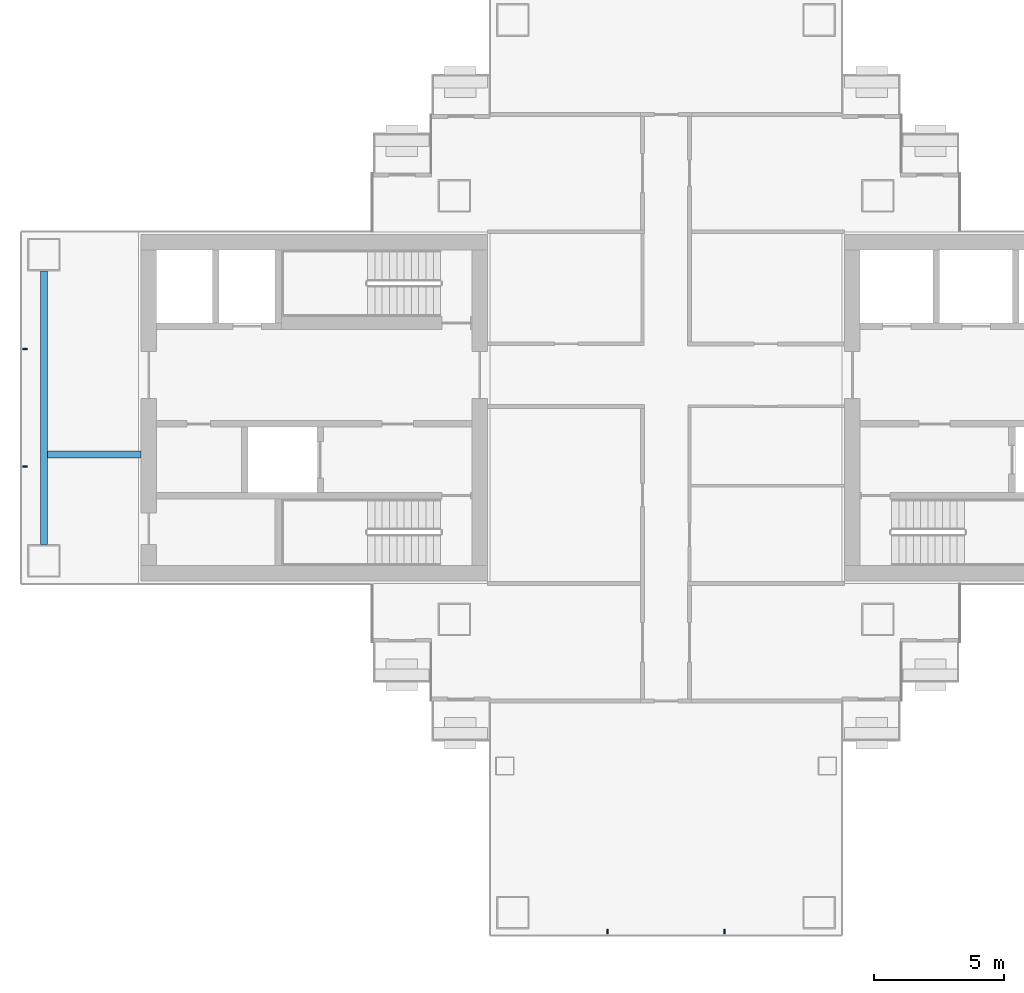
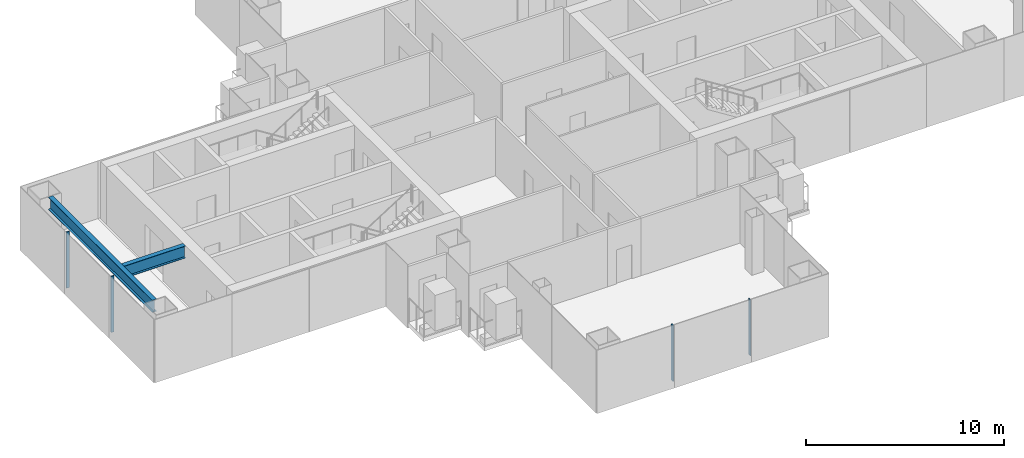
# One storey, part 3 of 20: 4 members, 2 beams, 2 elements without a shape of their own.
"""IFC4 building model written with IfcOpenShell, lengths in metres."""

from ifc_helpers import new_model, si_unit, direction, frame, origin, origin_2d, place, context, subcontext, project, spatial, rectangle, i_section, extrude, material, layer, layer_set, material_profile, profile_set, type_object, element, aggregate, save


model = new_model("IFC4")

# Units and contexts
model_context = context("Model", 3, precision=1e-05, world=origin(), true_north=direction((0.0, 1.0)))
body_context = subcontext(model_context, "Body", "Model", "MODEL_VIEW")
ifc_project = project(units=[si_unit("LENGTHUNIT", "METRE"), si_unit("AREAUNIT", "SQUARE_METRE"), si_unit("VOLUMEUNIT", "CUBIC_METRE"), si_unit("PLANEANGLEUNIT", "RADIAN"), si_unit("MASSUNIT", "GRAM", prefix="KILO")], contexts=[model_context])

# Site, building, storey
site_placement = place(None, origin())
site = spatial("IfcSite", under=ifc_project, at=site_placement, CompositionType="ELEMENT")
building_placement = place(site_placement, origin())
building = spatial("IfcBuilding", under=site, at=building_placement, Name="Shamsa Quay Exchange Towers", CompositionType="ELEMENT")
storey_placement = place(building_placement, frame((0.0, 0.0, 101.39990234375)))
storey = spatial("IfcBuildingStorey", under=building, at=storey_placement, Name="L23", CompositionType="ELEMENT", Elevation=101.39990234375)

# Curtain wall, members
ifc_material_1 = material(Name="Aluminium EN AW-6063 T6, black anodised", Category="aluminium")
ifc_layer = layer(ifc_material_1, 0.280029296875)
ifc_layer_set = layer_set([ifc_layer], Name="CW-1 UNITISED VISION GLASS")
curtain_wall_type = type_object("IfcCurtainWallType", Name="CW-1 UNITISED VISION GLASS", PredefinedType="NOTDEFINED", material=ifc_layer_set)
curtain_wall_1_placement = place(storey_placement, origin())
curtain_wall_1 = element("IfcCurtainWall", 1, at=curtain_wall_1_placement, inside=storey, type_object=curtain_wall_type, Name="CW1 T1-END-V- L23", PredefinedType="NOTDEFINED")
ifc_material_profile_1 = material_profile(ifc_material_1, rectangle(XDim=0.179931640625, YDim=0.06005859375, at=origin_2d()), Name="MU60x180")
ifc_profile_set_1 = profile_set([ifc_material_profile_1], Name="Aluminium EN AW-6063 T6, black anodised")
member_type = type_object("IfcMemberType", Name="CW1 MULLION 60x180", PredefinedType="MULLION", material=ifc_profile_set_1)
member_1_placement = place(storey_placement, frame((-36.0, -20.10009765625, 0.0), z_axis=(0.0, 0.0, 1.0), x_axis=(0.0, 1.0, 0.0)))
member_1 = element("IfcMember", 2, at=member_1_placement, type_object=member_type, Name="CW1 mullion", PredefinedType="MULLION", context=body_context, shape_type="SweptSolid", body=[
    extrude(rectangle(XDim=0.179931640625, YDim=0.06005859375, at=origin_2d()), origin(), (0.0, 0.0, 1.0), 3.4501953125),
])
member_2_placement = place(storey_placement, frame((-31.5, -20.10009765625, 0.0), z_axis=(0.0, 0.0, 1.0), x_axis=(0.0, 1.0, 0.0)))
member_2 = element("IfcMember", 3, at=member_2_placement, type_object=member_type, Name="CW1 mullion", PredefinedType="MULLION", context=body_context, shape_type="SweptSolid", body=[
    extrude(rectangle(XDim=0.179931640625, YDim=0.06005859375, at=origin_2d()), origin(), (0.0, 0.0, 1.0), 3.4501953125),
])
aggregate(curtain_wall_1, [member_1, member_2])

curtain_wall_2_placement = place(storey_placement, origin())
curtain_wall_2 = element("IfcCurtainWall", 4, at=curtain_wall_2_placement, inside=storey, type_object=curtain_wall_type, Name="CW1 T1-END-U- L23", PredefinedType="NOTDEFINED")
member_3_placement = place(storey_placement, frame((-58.35009765625, 2.25, 0.0)))
member_3 = element("IfcMember", 5, at=member_3_placement, type_object=member_type, Name="CW1 mullion", PredefinedType="MULLION", context=body_context, shape_type="SweptSolid", body=[
    extrude(rectangle(XDim=0.179931640625, YDim=0.06005859375, at=origin_2d()), origin(), (0.0, 0.0, 1.0), 3.4501953125),
])
member_4_placement = place(storey_placement, frame((-58.35009765625, -2.25, 0.0)))
member_4 = element("IfcMember", 6, at=member_4_placement, type_object=member_type, Name="CW1 mullion", PredefinedType="MULLION", context=body_context, shape_type="SweptSolid", body=[
    extrude(rectangle(XDim=0.179931640625, YDim=0.06005859375, at=origin_2d()), origin(), (0.0, 0.0, 1.0), 3.4501953125),
])
aggregate(curtain_wall_2, [member_3, member_4])

# Beams
ifc_material_2 = material(Name="Steel S355", Category="steel")
ifc_material_profile_2 = material_profile(ifc_material_2, i_section(OverallWidth=0.26611328125, OverallDepth=0.7578125, WebThickness=0.013916015625, FlangeThickness=0.019287109375, at=origin_2d()), Name="W30x108")
ifc_profile_set_2 = profile_set([ifc_material_profile_2], Name="Steel S355")
beam_type = type_object("IfcBeamType", Name="End-zone beam W30x108", PredefinedType="BEAM", material=ifc_profile_set_2)
beam_1_placement = place(storey_placement, frame((-57.625, -5.25, 3.171142578125), z_axis=(0.0, 1.0, 0.0), x_axis=(-1.0, 0.0, 0.0)))
element("IfcBeam", 7, at=beam_1_placement, inside=storey, type_object=beam_type, Name="End beam T1 U- end zone L23", PredefinedType="BEAM", context=body_context, shape_type="SweptSolid", body=[
    extrude(i_section(OverallWidth=0.26611328125, OverallDepth=0.7578125, WebThickness=0.013916015625, FlangeThickness=0.019287109375, at=origin_2d()), origin(), (0.0, 0.0, 1.0), 10.5),
])
beam_2_placement = place(storey_placement, frame((-53.89990234375, -1.800048828125, 3.171142578125), z_axis=(-1.0, 0.0, 0.0), x_axis=(0.0, -1.0, 0.0)))
element("IfcBeam", 8, at=beam_2_placement, inside=storey, type_object=beam_type, Name="Spine beam T1 U- end zone L23", PredefinedType="BEAM", context=body_context, shape_type="SweptSolid", body=[
    extrude(i_section(OverallWidth=0.26611328125, OverallDepth=0.7578125, WebThickness=0.013916015625, FlangeThickness=0.019287109375, at=origin_2d()), origin(), (0.0, 0.0, 1.0), 3.592041015625),
])

save(model, "model.ifc")
